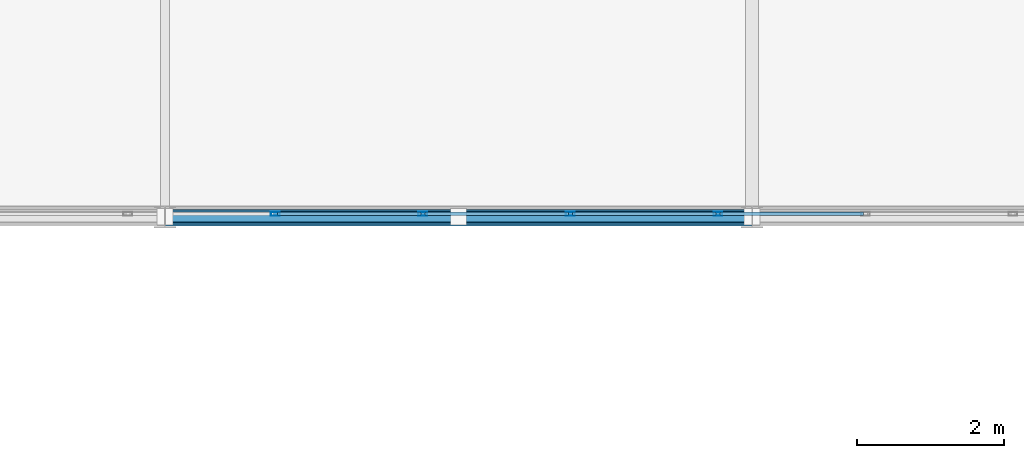
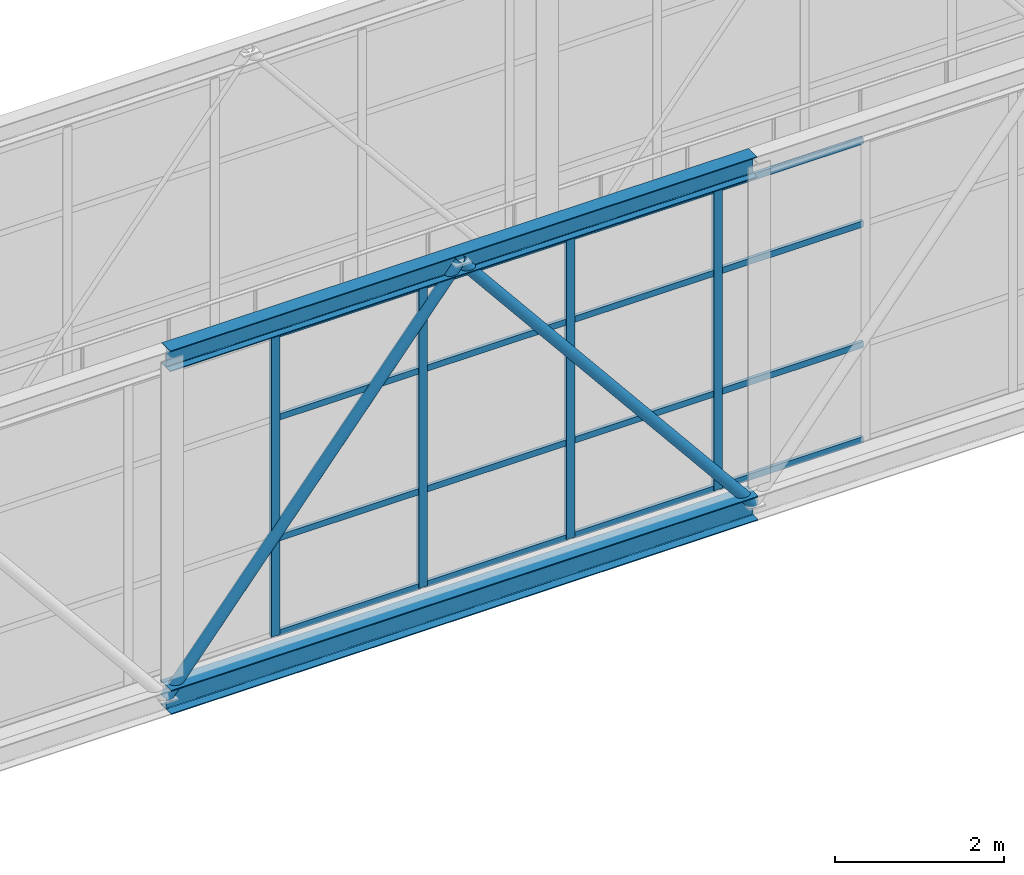
# One storey, part 90 of 248: 24 members, 1 element without a shape of its own.
"""IFC4 building model written with IfcOpenShell, lengths in metres."""

from ifc_helpers import new_model, si_unit, direction, frame, origin, origin_2d, place, context, subcontext, project, spatial, hollow_rectangle, hollow_circle, i_section, extrude, material, layer, layer_set, material_profile, profile_set, type_object, element, aggregate, save


model = new_model("IFC4")

# Units and contexts
model_context = context("Model", 3, precision=1e-05, world=origin(), true_north=direction((0.0, 1.0)))
body_context = subcontext(model_context, "Body", "Model", "MODEL_VIEW")
ifc_project = project(units=[si_unit("LENGTHUNIT", "METRE"), si_unit("AREAUNIT", "SQUARE_METRE"), si_unit("VOLUMEUNIT", "CUBIC_METRE"), si_unit("PLANEANGLEUNIT", "RADIAN"), si_unit("MASSUNIT", "GRAM", prefix="KILO")], contexts=[model_context])

# Site, building, storey
site_placement = place(None, origin())
site = spatial("IfcSite", under=ifc_project, at=site_placement, CompositionType="ELEMENT")
building_placement = place(site_placement, origin())
building = spatial("IfcBuilding", under=site, at=building_placement, Name="Canggui Botanical Conservatory", CompositionType="ELEMENT")
storey_placement = place(building_placement, frame((0.0, 0.0, 5.39990234375)))
storey = spatial("IfcBuildingStorey", under=building, at=storey_placement, Name="L02", CompositionType="ELEMENT", Elevation=5.39990234375)

# Curtain wall, members
ifc_material_1 = material(Name="Thermally Broken Aluminium", Category="aluminium")
ifc_layer = layer(ifc_material_1, 0.1201171875, Name="Thermally Broken Aluminium", Category="aluminium")
ifc_layer_set = layer_set([ifc_layer], Name="Thermally Broken Aluminium")
curtain_wall_type = type_object("IfcCurtainWallType", Name="CW-STICK-B", PredefinedType="USERDEFINED", material=ifc_layer_set)
curtain_wall_placement = place(storey_placement, origin())
curtain_wall = element("IfcCurtainWall", 1, at=curtain_wall_placement, inside=storey, type_object=curtain_wall_type, Name="Facade Curtain Wall CW-SB-01-1", ObjectType="STICK GLAZED WALL", PredefinedType="USERDEFINED")
ifc_material_profile_1 = material_profile(ifc_material_1, hollow_rectangle(XDim=0.054931640625, YDim=0.1201171875, WallThickness=0.0029296875, at=origin_2d()), Name="CWM 55x120x3")
ifc_profile_set_1 = profile_set([ifc_material_profile_1], Name="Thermally Broken Aluminium")
member_type_1 = type_object("IfcMemberType", Name="CWM-05", PredefinedType="MULLION", material=ifc_profile_set_1)
member_1_placement = place(storey_placement, frame((99.0048828125, 26.0400390625, 0.0), z_axis=(0.0, 0.0, 1.0), x_axis=(0.0, 1.0, 0.0)))
member_1 = element("IfcMember", 2, at=member_1_placement, type_object=member_type_1, Name="CW-05 mullion 17", PredefinedType="MULLION", context=body_context, shape_type="SweptSolid", body=[
    extrude(hollow_rectangle(XDim=0.054931640625, YDim=0.1201171875, WallThickness=0.0029296875, at=origin_2d()), origin(), (0.0, 0.0, 1.0), 4.35009765625),
])
member_2_placement = place(storey_placement, frame((101.014404296875, 26.0400390625, 0.0), z_axis=(0.0, 0.0, 1.0), x_axis=(0.0, 1.0, 0.0)))
member_2 = element("IfcMember", 3, at=member_2_placement, type_object=member_type_1, Name="CW-05 mullion 18", PredefinedType="MULLION", context=body_context, shape_type="SweptSolid", body=[
    extrude(hollow_rectangle(XDim=0.054931640625, YDim=0.1201171875, WallThickness=0.0029296875, at=origin_2d()), origin(), (0.0, 0.0, 1.0), 4.35009765625),
])
member_3_placement = place(storey_placement, frame((103.024169921875, 26.0400390625, 0.0), z_axis=(0.0, 0.0, 1.0), x_axis=(0.0, 1.0, 0.0)))
member_3 = element("IfcMember", 4, at=member_3_placement, type_object=member_type_1, Name="CW-05 mullion 19", PredefinedType="MULLION", context=body_context, shape_type="SweptSolid", body=[
    extrude(hollow_rectangle(XDim=0.054931640625, YDim=0.1201171875, WallThickness=0.0029296875, at=origin_2d()), origin(), (0.0, 0.0, 1.0), 4.35009765625),
])
member_4_placement = place(storey_placement, frame((105.033935546875, 26.0400390625, 0.0), z_axis=(0.0, 0.0, 1.0), x_axis=(0.0, 1.0, 0.0)))
member_4 = element("IfcMember", 5, at=member_4_placement, type_object=member_type_1, Name="CW-05 mullion 20", PredefinedType="MULLION", context=body_context, shape_type="SweptSolid", body=[
    extrude(hollow_rectangle(XDim=0.054931640625, YDim=0.1201171875, WallThickness=0.0029296875, at=origin_2d()), origin(), (0.0, 0.0, 1.0), 4.35009765625),
])
ifc_material_profile_2 = material_profile(ifc_material_1, hollow_rectangle(XDim=0.044921875, YDim=0.090087890625, WallThickness=0.0029296875, at=origin_2d()), Name="CWT 45x90x3")
ifc_profile_set_2 = profile_set([ifc_material_profile_2], Name="Thermally Broken Aluminium")
member_type_2 = type_object("IfcMemberType", Name="CWT-05", PredefinedType="USERDEFINED", material=ifc_profile_set_2)
member_5_placement = place(storey_placement, frame((99.0322265625, 26.0400390625, 0.022705078125), z_axis=(1.0, 0.0, 0.0), x_axis=(0.0, 1.0, 0.0)))
member_5 = element("IfcMember", 6, at=member_5_placement, type_object=member_type_2, Name="CW-05 transom 17.1", ObjectType="TRANSOM", PredefinedType="USERDEFINED", context=body_context, shape_type="SweptSolid", body=[
    extrude(hollow_rectangle(XDim=0.044921875, YDim=0.090087890625, WallThickness=0.0029296875, at=origin_2d()), origin(), (0.0, 0.0, 1.0), 1.954833984375),
])
member_6_placement = place(storey_placement, frame((99.0322265625, 26.0400390625, 1.39208984375), z_axis=(1.0, 0.0, 0.0), x_axis=(0.0, 1.0, 0.0)))
member_6 = element("IfcMember", 7, at=member_6_placement, type_object=member_type_2, Name="CW-05 transom 17.2", ObjectType="TRANSOM", PredefinedType="USERDEFINED", context=body_context, shape_type="SweptSolid", body=[
    extrude(hollow_rectangle(XDim=0.044921875, YDim=0.090087890625, WallThickness=0.0029296875, at=origin_2d()), origin(), (0.0, 0.0, 1.0), 1.954833984375),
])
member_7_placement = place(storey_placement, frame((99.0322265625, 26.0400390625, 3.132080078125), z_axis=(1.0, 0.0, 0.0), x_axis=(0.0, 1.0, 0.0)))
member_7 = element("IfcMember", 8, at=member_7_placement, type_object=member_type_2, Name="CW-05 transom 17.3", ObjectType="TRANSOM", PredefinedType="USERDEFINED", context=body_context, shape_type="SweptSolid", body=[
    extrude(hollow_rectangle(XDim=0.044921875, YDim=0.090087890625, WallThickness=0.0029296875, at=origin_2d()), origin(), (0.0, 0.0, 1.0), 1.954833984375),
])
member_8_placement = place(storey_placement, frame((99.0322265625, 26.0400390625, 4.32763671875), z_axis=(1.0, 0.0, 0.0), x_axis=(0.0, 1.0, 0.0)))
member_8 = element("IfcMember", 9, at=member_8_placement, type_object=member_type_2, Name="CW-05 transom 17.4", ObjectType="TRANSOM", PredefinedType="USERDEFINED", context=body_context, shape_type="SweptSolid", body=[
    extrude(hollow_rectangle(XDim=0.044921875, YDim=0.090087890625, WallThickness=0.0029296875, at=origin_2d()), origin(), (0.0, 0.0, 1.0), 1.954833984375),
])
member_9_placement = place(storey_placement, frame((101.0419921875, 26.0400390625, 0.022705078125), z_axis=(1.0, 0.0, 0.0), x_axis=(0.0, 1.0, 0.0)))
member_9 = element("IfcMember", 10, at=member_9_placement, type_object=member_type_2, Name="CW-05 transom 18.1", ObjectType="TRANSOM", PredefinedType="USERDEFINED", context=body_context, shape_type="SweptSolid", body=[
    extrude(hollow_rectangle(XDim=0.044921875, YDim=0.090087890625, WallThickness=0.0029296875, at=origin_2d()), origin(), (0.0, 0.0, 1.0), 1.95458984375),
])
member_10_placement = place(storey_placement, frame((101.0419921875, 26.0400390625, 1.39208984375), z_axis=(1.0, 0.0, 0.0), x_axis=(0.0, 1.0, 0.0)))
member_10 = element("IfcMember", 11, at=member_10_placement, type_object=member_type_2, Name="CW-05 transom 18.2", ObjectType="TRANSOM", PredefinedType="USERDEFINED", context=body_context, shape_type="SweptSolid", body=[
    extrude(hollow_rectangle(XDim=0.044921875, YDim=0.090087890625, WallThickness=0.0029296875, at=origin_2d()), origin(), (0.0, 0.0, 1.0), 1.95458984375),
])
member_11_placement = place(storey_placement, frame((101.0419921875, 26.0400390625, 3.132080078125), z_axis=(1.0, 0.0, 0.0), x_axis=(0.0, 1.0, 0.0)))
member_11 = element("IfcMember", 12, at=member_11_placement, type_object=member_type_2, Name="CW-05 transom 18.3", ObjectType="TRANSOM", PredefinedType="USERDEFINED", context=body_context, shape_type="SweptSolid", body=[
    extrude(hollow_rectangle(XDim=0.044921875, YDim=0.090087890625, WallThickness=0.0029296875, at=origin_2d()), origin(), (0.0, 0.0, 1.0), 1.95458984375),
])
member_12_placement = place(storey_placement, frame((101.0419921875, 26.0400390625, 4.32763671875), z_axis=(1.0, 0.0, 0.0), x_axis=(0.0, 1.0, 0.0)))
member_12 = element("IfcMember", 13, at=member_12_placement, type_object=member_type_2, Name="CW-05 transom 18.4", ObjectType="TRANSOM", PredefinedType="USERDEFINED", context=body_context, shape_type="SweptSolid", body=[
    extrude(hollow_rectangle(XDim=0.044921875, YDim=0.090087890625, WallThickness=0.0029296875, at=origin_2d()), origin(), (0.0, 0.0, 1.0), 1.95458984375),
])
member_13_placement = place(storey_placement, frame((103.0517578125, 26.0400390625, 0.022705078125), z_axis=(1.0, 0.0, 0.0), x_axis=(0.0, 1.0, 0.0)))
member_13 = element("IfcMember", 14, at=member_13_placement, type_object=member_type_2, Name="CW-05 transom 19.1", ObjectType="TRANSOM", PredefinedType="USERDEFINED", context=body_context, shape_type="SweptSolid", body=[
    extrude(hollow_rectangle(XDim=0.044921875, YDim=0.090087890625, WallThickness=0.0029296875, at=origin_2d()), origin(), (0.0, 0.0, 1.0), 1.95458984375),
])
member_14_placement = place(storey_placement, frame((103.0517578125, 26.0400390625, 1.39208984375), z_axis=(1.0, 0.0, 0.0), x_axis=(0.0, 1.0, 0.0)))
member_14 = element("IfcMember", 15, at=member_14_placement, type_object=member_type_2, Name="CW-05 transom 19.2", ObjectType="TRANSOM", PredefinedType="USERDEFINED", context=body_context, shape_type="SweptSolid", body=[
    extrude(hollow_rectangle(XDim=0.044921875, YDim=0.090087890625, WallThickness=0.0029296875, at=origin_2d()), origin(), (0.0, 0.0, 1.0), 1.95458984375),
])
member_15_placement = place(storey_placement, frame((103.0517578125, 26.0400390625, 3.132080078125), z_axis=(1.0, 0.0, 0.0), x_axis=(0.0, 1.0, 0.0)))
member_15 = element("IfcMember", 16, at=member_15_placement, type_object=member_type_2, Name="CW-05 transom 19.3", ObjectType="TRANSOM", PredefinedType="USERDEFINED", context=body_context, shape_type="SweptSolid", body=[
    extrude(hollow_rectangle(XDim=0.044921875, YDim=0.090087890625, WallThickness=0.0029296875, at=origin_2d()), origin(), (0.0, 0.0, 1.0), 1.95458984375),
])
member_16_placement = place(storey_placement, frame((103.0517578125, 26.0400390625, 4.32763671875), z_axis=(1.0, 0.0, 0.0), x_axis=(0.0, 1.0, 0.0)))
member_16 = element("IfcMember", 17, at=member_16_placement, type_object=member_type_2, Name="CW-05 transom 19.4", ObjectType="TRANSOM", PredefinedType="USERDEFINED", context=body_context, shape_type="SweptSolid", body=[
    extrude(hollow_rectangle(XDim=0.044921875, YDim=0.090087890625, WallThickness=0.0029296875, at=origin_2d()), origin(), (0.0, 0.0, 1.0), 1.95458984375),
])
member_17_placement = place(storey_placement, frame((105.061279296875, 26.0400390625, 0.022705078125), z_axis=(1.0, 0.0, 0.0), x_axis=(0.0, 1.0, 0.0)))
member_17 = element("IfcMember", 18, at=member_17_placement, type_object=member_type_2, Name="CW-05 transom 20.1", ObjectType="TRANSOM", PredefinedType="USERDEFINED", context=body_context, shape_type="SweptSolid", body=[
    extrude(hollow_rectangle(XDim=0.044921875, YDim=0.090087890625, WallThickness=0.0029296875, at=origin_2d()), origin(), (0.0, 0.0, 1.0), 1.954833984375),
])
member_18_placement = place(storey_placement, frame((105.061279296875, 26.0400390625, 1.39208984375), z_axis=(1.0, 0.0, 0.0), x_axis=(0.0, 1.0, 0.0)))
member_18 = element("IfcMember", 19, at=member_18_placement, type_object=member_type_2, Name="CW-05 transom 20.2", ObjectType="TRANSOM", PredefinedType="USERDEFINED", context=body_context, shape_type="SweptSolid", body=[
    extrude(hollow_rectangle(XDim=0.044921875, YDim=0.090087890625, WallThickness=0.0029296875, at=origin_2d()), origin(), (0.0, 0.0, 1.0), 1.954833984375),
])
member_19_placement = place(storey_placement, frame((105.061279296875, 26.0400390625, 3.132080078125), z_axis=(1.0, 0.0, 0.0), x_axis=(0.0, 1.0, 0.0)))
member_19 = element("IfcMember", 20, at=member_19_placement, type_object=member_type_2, Name="CW-05 transom 20.3", ObjectType="TRANSOM", PredefinedType="USERDEFINED", context=body_context, shape_type="SweptSolid", body=[
    extrude(hollow_rectangle(XDim=0.044921875, YDim=0.090087890625, WallThickness=0.0029296875, at=origin_2d()), origin(), (0.0, 0.0, 1.0), 1.954833984375),
])
member_20_placement = place(storey_placement, frame((105.061279296875, 26.0400390625, 4.32763671875), z_axis=(1.0, 0.0, 0.0), x_axis=(0.0, 1.0, 0.0)))
member_20 = element("IfcMember", 21, at=member_20_placement, type_object=member_type_2, Name="CW-05 transom 20.4", ObjectType="TRANSOM", PredefinedType="USERDEFINED", context=body_context, shape_type="SweptSolid", body=[
    extrude(hollow_rectangle(XDim=0.044921875, YDim=0.090087890625, WallThickness=0.0029296875, at=origin_2d()), origin(), (0.0, 0.0, 1.0), 1.954833984375),
])
aggregate(curtain_wall, [member_1, member_2, member_3, member_4, member_5, member_6, member_7, member_8, member_9, member_10, member_11, member_12, member_13, member_14, member_15, member_16, member_17, member_18, member_19, member_20])

# Members
ifc_material_2 = material(Name="Steel Q355C", Category="steel")
ifc_material_profile_3 = material_profile(ifc_material_2, hollow_circle(Radius=0.075927734375, WallThickness=0.006103515625, at=origin_2d()), Name="CHS 152x6")
ifc_profile_set_3 = profile_set([ifc_material_profile_3], Name="Steel Q355C")
member_type_3 = type_object("IfcMemberType", Name="MEM-GSD04", PredefinedType="RAFTER", material=ifc_profile_set_3)
for number, where, z_axis, x_axis, name in (
    (22, (97.5, 26.0, -0.349853515625), (0.632384053133, 0.0, 0.774655026024), (0.0, 1.0, 0.0), "SB-01 Truss Web Rafter 1.5A"),
    (23, (101.5, 26.0, 4.550048828125), (0.632384053133, 0.0, -0.774655026024), (0.0, 1.0, 0.0), "SB-01 Truss Web Rafter 1.5B"),
):
    element("IfcMember", number, at=place(storey_placement, frame(where, z_axis=z_axis, x_axis=x_axis)), inside=storey, type_object=member_type_3, Name=name, PredefinedType="RAFTER", context=body_context, shape_type="SweptSolid", body=[
        extrude(hollow_circle(Radius=0.075927734375, WallThickness=0.006103515625, at=origin_2d()), origin(), (0.0, 0.0, 1.0), 6.3251953125),
    ])
ifc_material_3 = material(Name="Steel Q355B", Category="steel")
ifc_material_profile_4 = material_profile(ifc_material_3, i_section(OverallWidth=0.25, OverallDepth=0.35009765625, WebThickness=0.009033203125, FlangeThickness=0.013916015625, FilletRadius=0.02001953125, at=origin_2d()), Name="HM 350x250x9x14")
ifc_profile_set_4 = profile_set([ifc_material_profile_4], Name="Steel Q355B")
member_type_4 = type_object("IfcMemberType", Name="MEM-TC03", PredefinedType="CHORD", material=ifc_profile_set_4)
member_21_placement = place(storey_placement, frame((97.5, 26.0, -0.349853515625), z_axis=(1.0, 0.0, 0.0), x_axis=(0.0, 1.0, 0.0)))
element("IfcMember", 24, at=member_21_placement, inside=storey, type_object=member_type_4, Name="SB-01 Deck Truss Bottom Chord 1.5", PredefinedType="CHORD", context=body_context, shape_type="SweptSolid", body=[
    extrude(i_section(OverallWidth=0.25, OverallDepth=0.35009765625, WebThickness=0.009033203125, FlangeThickness=0.013916015625, FilletRadius=0.02001953125, at=origin_2d()), origin(), (0.0, 0.0, 1.0), 8.0),
])
ifc_material_profile_5 = material_profile(ifc_material_3, i_section(OverallWidth=0.199951171875, OverallDepth=0.300048828125, WebThickness=0.008056640625, FlangeThickness=0.011962890625, FilletRadius=0.01806640625, at=origin_2d()), Name="HM 300x200x8x12")
ifc_profile_set_5 = profile_set([ifc_material_profile_5], Name="Steel Q355B")
member_type_5 = type_object("IfcMemberType", Name="MEM-TC04", PredefinedType="CHORD", material=ifc_profile_set_5)
member_22_placement = place(storey_placement, frame((97.5, 26.0, 4.550048828125), z_axis=(1.0, 0.0, 0.0), x_axis=(0.0, 1.0, 0.0)))
element("IfcMember", 25, at=member_22_placement, inside=storey, type_object=member_type_5, Name="SB-01 Roof Truss Top Chord 1.5", PredefinedType="CHORD", context=body_context, shape_type="SweptSolid", body=[
    extrude(i_section(OverallWidth=0.199951171875, OverallDepth=0.300048828125, WebThickness=0.008056640625, FlangeThickness=0.011962890625, FilletRadius=0.01806640625, at=origin_2d()), origin(), (0.0, 0.0, 1.0), 8.0),
])

save(model, "model.ifc")
